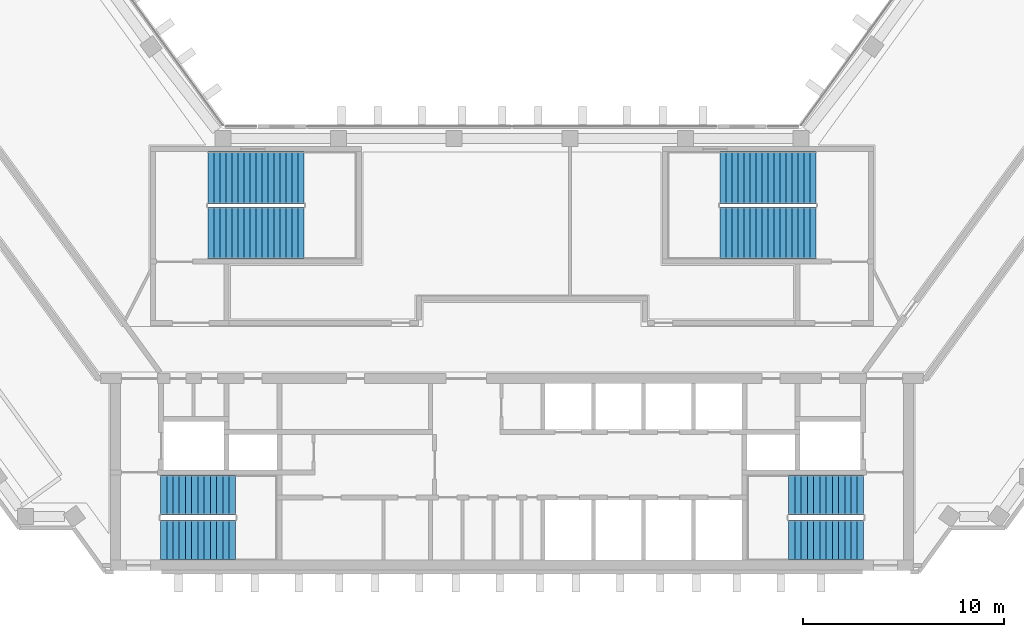
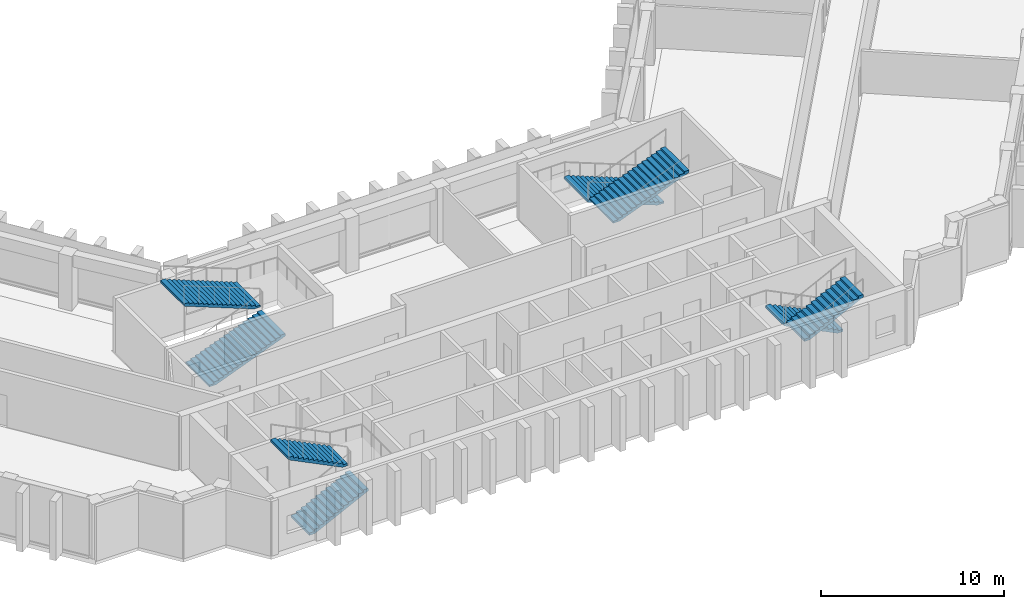
# One storey, part 8 of 10: 8 stair flights, 4 elements without a shape of their own.
"""IFC4 building model written with IfcOpenShell, lengths in metres."""

from ifc_helpers import new_model, si_unit, direction, frame, origin, place, context, subcontext, project, spatial, polyline, outline, extrude, material, type_object, element, aggregate, save


model = new_model("IFC4")

# Units and contexts
model_context = context("Model", 3, precision=1e-05, world=origin(), true_north=direction((0.0, 1.0)))
body_context = subcontext(model_context, "Body", "Model", "MODEL_VIEW")
ifc_project = project(units=[si_unit("LENGTHUNIT", "METRE"), si_unit("AREAUNIT", "SQUARE_METRE"), si_unit("VOLUMEUNIT", "CUBIC_METRE"), si_unit("PLANEANGLEUNIT", "RADIAN"), si_unit("MASSUNIT", "GRAM", prefix="KILO")], contexts=[model_context])

# Site, building, storey
site_placement = place(None, origin())
site = spatial("IfcSite", under=ifc_project, at=site_placement, CompositionType="ELEMENT")
building_placement = place(site_placement, origin())
building = spatial("IfcBuilding", under=site, at=building_placement, Name="Quipu Civic Tower", CompositionType="ELEMENT")
storey_placement = place(building_placement, frame((0.0, 0.0, 168.0)))
storey = spatial("IfcBuildingStorey", under=building, at=storey_placement, Name="L39", CompositionType="ELEMENT", Elevation=168.0)

# Stair, stair flights
ifc_material_1 = material(Name="Concrete C40/50", Category="concrete")
stair_type_1 = type_object("IfcStairType", Name="Half turn stair 2000", PredefinedType="HALF_TURN_STAIR", material=ifc_material_1)
stair_1_placement = place(storey_placement, origin())
stair_1 = element("IfcStair", 1, at=stair_1_placement, inside=storey, type_object=stair_type_1, Name="Exit stair 1", PredefinedType="HALF_TURN_STAIR")
ifc_material_2 = material(Name="Concrete C40/50", Category="concrete")
stair_flight_type_1 = type_object("IfcStairFlightType", Name="Stair flight 2000", PredefinedType="STRAIGHT", material=ifc_material_2)
stair_flight_1_placement = place(storey_placement, frame((-17.5, -9.5, 0.0), z_axis=(0.0, 0.0, 1.0), x_axis=(1.0, 0.0, 0.0)))
stair_flight_1 = element("IfcStairFlight", 2, at=stair_flight_1_placement, type_object=stair_flight_type_1, Name="ST-1 flight 1", NumberOfRisers=13, NumberOfTreads=12, PredefinedType="STRAIGHT", RiserHeight=0.153846154, TreadLength=0.31, context=body_context, shape_type="SweptSolid", body=[
    extrude(outline(polyline([(0.0, 0.0), (0.0, 0.15380859375), (0.31005859375, 0.15380859375), (0.31005859375, 0.3076171875), (0.6201171875, 0.3076171875), (0.6201171875, 0.46142578125), (0.929931640625, 0.46142578125), (0.929931640625, 0.615478515625), (1.239990234375, 0.615478515625), (1.239990234375, 0.769287109375), (1.550048828125, 0.769287109375), (1.550048828125, 0.923095703125), (1.860107421875, 0.923095703125), (1.860107421875, 1.076904296875), (2.169921875, 1.076904296875), (2.169921875, 1.230712890625), (2.47998046875, 1.230712890625), (2.47998046875, 1.384521484375), (2.7900390625, 1.384521484375), (2.7900390625, 1.53857421875), (3.10009765625, 1.53857421875), (3.10009765625, 1.6923828125), (3.409912109375, 1.6923828125), (3.409912109375, 1.84619140625), (3.719970703125, 1.84619140625), (3.719970703125, 2.0), (3.719970703125, 1.6787109375), (0.337158203125, 0.0), (0.0, 0.0)])), frame((0.0, 1.0, 0.0), z_axis=(0.0, -1.0, 0.0), x_axis=(1.0, 0.0, 0.0)), (0.0, 0.0, 1.0), 2.0),
])
stair_flight_2_placement = place(storey_placement, frame((-13.780029296875, -7.25, 2.0), z_axis=(0.0, 0.0, 1.0), x_axis=(-1.0, 0.0, 0.0)))
stair_flight_2 = element("IfcStairFlight", 3, at=stair_flight_2_placement, type_object=stair_flight_type_1, Name="ST-1 flight 2", NumberOfRisers=13, NumberOfTreads=12, PredefinedType="STRAIGHT", RiserHeight=0.153846154, TreadLength=0.31, context=body_context, shape_type="SweptSolid", body=[
    extrude(outline(polyline([(0.0, 0.0), (0.0, 0.15380859375), (0.31005859375, 0.15380859375), (0.31005859375, 0.3076171875), (0.6201171875, 0.3076171875), (0.6201171875, 0.46142578125), (0.929931640625, 0.46142578125), (0.929931640625, 0.615478515625), (1.239990234375, 0.615478515625), (1.239990234375, 0.769287109375), (1.550048828125, 0.769287109375), (1.550048828125, 0.923095703125), (1.860107421875, 0.923095703125), (1.860107421875, 1.076904296875), (2.169921875, 1.076904296875), (2.169921875, 1.230712890625), (2.47998046875, 1.230712890625), (2.47998046875, 1.384521484375), (2.7900390625, 1.384521484375), (2.7900390625, 1.53857421875), (3.10009765625, 1.53857421875), (3.10009765625, 1.6923828125), (3.409912109375, 1.6923828125), (3.409912109375, 1.84619140625), (3.719970703125, 1.84619140625), (3.719970703125, 2.0), (3.719970703125, 1.6787109375), (0.337158203125, 0.0), (0.0, 0.0)])), frame((0.0, 1.0, 0.0), z_axis=(0.0, -1.0, 0.0), x_axis=(1.0, 0.0, 0.0)), (0.0, 0.0, 1.0), 2.0),
])
aggregate(stair_1, [stair_flight_1, stair_flight_2])

stair_2_placement = place(storey_placement, origin())
stair_2 = element("IfcStair", 4, at=stair_2_placement, inside=storey, type_object=stair_type_1, Name="Exit stair 2", PredefinedType="HALF_TURN_STAIR")
stair_flight_3_placement = place(storey_placement, frame((17.5, -7.25, 0.0), z_axis=(0.0, 0.0, 1.0), x_axis=(-1.0, 0.0, 0.0)))
stair_flight_3 = element("IfcStairFlight", 5, at=stair_flight_3_placement, type_object=stair_flight_type_1, Name="ST-2 flight 1", NumberOfRisers=13, NumberOfTreads=12, PredefinedType="STRAIGHT", RiserHeight=0.153846154, TreadLength=0.31, context=body_context, shape_type="SweptSolid", body=[
    extrude(outline(polyline([(0.0, 0.0), (0.0, 0.15380859375), (0.31005859375, 0.15380859375), (0.31005859375, 0.3076171875), (0.6201171875, 0.3076171875), (0.6201171875, 0.46142578125), (0.929931640625, 0.46142578125), (0.929931640625, 0.615478515625), (1.239990234375, 0.615478515625), (1.239990234375, 0.769287109375), (1.550048828125, 0.769287109375), (1.550048828125, 0.923095703125), (1.860107421875, 0.923095703125), (1.860107421875, 1.076904296875), (2.169921875, 1.076904296875), (2.169921875, 1.230712890625), (2.47998046875, 1.230712890625), (2.47998046875, 1.384521484375), (2.7900390625, 1.384521484375), (2.7900390625, 1.53857421875), (3.10009765625, 1.53857421875), (3.10009765625, 1.6923828125), (3.409912109375, 1.6923828125), (3.409912109375, 1.84619140625), (3.719970703125, 1.84619140625), (3.719970703125, 2.0), (3.719970703125, 1.6787109375), (0.337158203125, 0.0), (0.0, 0.0)])), frame((0.0, 1.0, 0.0), z_axis=(0.0, -1.0, 0.0), x_axis=(1.0, 0.0, 0.0)), (0.0, 0.0, 1.0), 2.0),
])
stair_flight_4_placement = place(storey_placement, frame((13.780029296875, -9.5, 2.0), z_axis=(0.0, 0.0, 1.0), x_axis=(1.0, 0.0, 0.0)))
stair_flight_4 = element("IfcStairFlight", 6, at=stair_flight_4_placement, type_object=stair_flight_type_1, Name="ST-2 flight 2", NumberOfRisers=13, NumberOfTreads=12, PredefinedType="STRAIGHT", RiserHeight=0.153846154, TreadLength=0.31, context=body_context, shape_type="SweptSolid", body=[
    extrude(outline(polyline([(0.0, 0.0), (0.0, 0.15380859375), (0.31005859375, 0.15380859375), (0.31005859375, 0.3076171875), (0.6201171875, 0.3076171875), (0.6201171875, 0.46142578125), (0.929931640625, 0.46142578125), (0.929931640625, 0.615478515625), (1.239990234375, 0.615478515625), (1.239990234375, 0.769287109375), (1.550048828125, 0.769287109375), (1.550048828125, 0.923095703125), (1.860107421875, 0.923095703125), (1.860107421875, 1.076904296875), (2.169921875, 1.076904296875), (2.169921875, 1.230712890625), (2.47998046875, 1.230712890625), (2.47998046875, 1.384521484375), (2.7900390625, 1.384521484375), (2.7900390625, 1.53857421875), (3.10009765625, 1.53857421875), (3.10009765625, 1.6923828125), (3.409912109375, 1.6923828125), (3.409912109375, 1.84619140625), (3.719970703125, 1.84619140625), (3.719970703125, 2.0), (3.719970703125, 1.6787109375), (0.337158203125, 0.0), (0.0, 0.0)])), frame((0.0, 1.0, 0.0), z_axis=(0.0, -1.0, 0.0), x_axis=(1.0, 0.0, 0.0)), (0.0, 0.0, 1.0), 2.0),
])
aggregate(stair_2, [stair_flight_3, stair_flight_4])

ifc_material_3 = material(Name="Concrete C40/50", Category="concrete")
stair_type_2 = type_object("IfcStairType", Name="Half turn stair 2600", PredefinedType="HALF_TURN_STAIR", material=ifc_material_3)
stair_3_placement = place(storey_placement, origin())
stair_3 = element("IfcStair", 7, at=stair_3_placement, inside=storey, type_object=stair_type_2, Name="Exit stair 3", PredefinedType="HALF_TURN_STAIR")
ifc_material_4 = material(Name="Concrete C40/50", Category="concrete")
stair_flight_type_2 = type_object("IfcStairFlightType", Name="Stair flight 2600", PredefinedType="STRAIGHT", material=ifc_material_4)
stair_flight_5_placement = place(storey_placement, frame((-15.14990234375, 5.800048828125, 0.0), z_axis=(0.0, 0.0, 1.0), x_axis=(1.0, 0.0, 0.0)))
stair_flight_5 = element("IfcStairFlight", 8, at=stair_flight_5_placement, type_object=stair_flight_type_2, Name="ST-3 flight 1", NumberOfRisers=17, NumberOfTreads=16, PredefinedType="STRAIGHT", RiserHeight=0.117647059, TreadLength=0.3, context=body_context, shape_type="SweptSolid", body=[
    extrude(outline(polyline([(0.0, 0.0), (0.0, 0.11767578125), (0.300048828125, 0.11767578125), (0.300048828125, 0.2353515625), (0.60009765625, 0.2353515625), (0.60009765625, 0.35302734375), (0.89990234375, 0.35302734375), (0.89990234375, 0.470703125), (1.199951171875, 0.470703125), (1.199951171875, 0.588134765625), (1.5, 0.588134765625), (1.5, 0.705810546875), (1.800048828125, 0.705810546875), (1.800048828125, 0.823486328125), (2.10009765625, 0.823486328125), (2.10009765625, 0.941162109375), (2.39990234375, 0.941162109375), (2.39990234375, 1.058837890625), (2.699951171875, 1.058837890625), (2.699951171875, 1.176513671875), (3.0, 1.176513671875), (3.0, 1.294189453125), (3.300048828125, 1.294189453125), (3.300048828125, 1.411865234375), (3.60009765625, 1.411865234375), (3.60009765625, 1.529296875), (3.89990234375, 1.529296875), (3.89990234375, 1.64697265625), (4.199951171875, 1.64697265625), (4.199951171875, 1.7646484375), (4.5, 1.7646484375), (4.5, 1.88232421875), (4.800048828125, 1.88232421875), (4.800048828125, 2.0), (4.800048828125, 1.721435546875), (0.41064453125, 0.0), (0.0, 0.0)])), frame((0.0, 1.300048828125, 0.0), z_axis=(0.0, -1.0, 0.0), x_axis=(1.0, 0.0, 0.0)), (0.0, 0.0, 1.0), 2.60009765625),
])
stair_flight_6_placement = place(storey_placement, frame((-10.35009765625, 8.550048828125, 2.0), z_axis=(0.0, 0.0, 1.0), x_axis=(-1.0, 0.0, 0.0)))
stair_flight_6 = element("IfcStairFlight", 9, at=stair_flight_6_placement, type_object=stair_flight_type_2, Name="ST-3 flight 2", NumberOfRisers=17, NumberOfTreads=16, PredefinedType="STRAIGHT", RiserHeight=0.117647059, TreadLength=0.3, context=body_context, shape_type="SweptSolid", body=[
    extrude(outline(polyline([(0.0, 0.0), (0.0, 0.11767578125), (0.300048828125, 0.11767578125), (0.300048828125, 0.2353515625), (0.60009765625, 0.2353515625), (0.60009765625, 0.35302734375), (0.89990234375, 0.35302734375), (0.89990234375, 0.470703125), (1.199951171875, 0.470703125), (1.199951171875, 0.588134765625), (1.5, 0.588134765625), (1.5, 0.705810546875), (1.800048828125, 0.705810546875), (1.800048828125, 0.823486328125), (2.10009765625, 0.823486328125), (2.10009765625, 0.941162109375), (2.39990234375, 0.941162109375), (2.39990234375, 1.058837890625), (2.699951171875, 1.058837890625), (2.699951171875, 1.176513671875), (3.0, 1.176513671875), (3.0, 1.294189453125), (3.300048828125, 1.294189453125), (3.300048828125, 1.411865234375), (3.60009765625, 1.411865234375), (3.60009765625, 1.529296875), (3.89990234375, 1.529296875), (3.89990234375, 1.64697265625), (4.199951171875, 1.64697265625), (4.199951171875, 1.7646484375), (4.5, 1.7646484375), (4.5, 1.88232421875), (4.800048828125, 1.88232421875), (4.800048828125, 2.0), (4.800048828125, 1.721435546875), (0.41064453125, 0.0), (0.0, 0.0)])), frame((0.0, 1.300048828125, 0.0), z_axis=(0.0, -1.0, 0.0), x_axis=(1.0, 0.0, 0.0)), (0.0, 0.0, 1.0), 2.60009765625),
])
aggregate(stair_3, [stair_flight_5, stair_flight_6])

stair_4_placement = place(storey_placement, origin())
stair_4 = element("IfcStair", 10, at=stair_4_placement, inside=storey, type_object=stair_type_2, Name="Exit stair 4", PredefinedType="HALF_TURN_STAIR")
stair_flight_7_placement = place(storey_placement, frame((15.14990234375, 8.550048828125, 0.0), z_axis=(0.0, 0.0, 1.0), x_axis=(-1.0, 0.0, 0.0)))
stair_flight_7 = element("IfcStairFlight", 11, at=stair_flight_7_placement, type_object=stair_flight_type_2, Name="ST-4 flight 1", NumberOfRisers=17, NumberOfTreads=16, PredefinedType="STRAIGHT", RiserHeight=0.117647059, TreadLength=0.3, context=body_context, shape_type="SweptSolid", body=[
    extrude(outline(polyline([(0.0, 0.0), (0.0, 0.11767578125), (0.300048828125, 0.11767578125), (0.300048828125, 0.2353515625), (0.60009765625, 0.2353515625), (0.60009765625, 0.35302734375), (0.89990234375, 0.35302734375), (0.89990234375, 0.470703125), (1.199951171875, 0.470703125), (1.199951171875, 0.588134765625), (1.5, 0.588134765625), (1.5, 0.705810546875), (1.800048828125, 0.705810546875), (1.800048828125, 0.823486328125), (2.10009765625, 0.823486328125), (2.10009765625, 0.941162109375), (2.39990234375, 0.941162109375), (2.39990234375, 1.058837890625), (2.699951171875, 1.058837890625), (2.699951171875, 1.176513671875), (3.0, 1.176513671875), (3.0, 1.294189453125), (3.300048828125, 1.294189453125), (3.300048828125, 1.411865234375), (3.60009765625, 1.411865234375), (3.60009765625, 1.529296875), (3.89990234375, 1.529296875), (3.89990234375, 1.64697265625), (4.199951171875, 1.64697265625), (4.199951171875, 1.7646484375), (4.5, 1.7646484375), (4.5, 1.88232421875), (4.800048828125, 1.88232421875), (4.800048828125, 2.0), (4.800048828125, 1.721435546875), (0.41064453125, 0.0), (0.0, 0.0)])), frame((0.0, 1.300048828125, 0.0), z_axis=(0.0, -1.0, 0.0), x_axis=(1.0, 0.0, 0.0)), (0.0, 0.0, 1.0), 2.60009765625),
])
stair_flight_8_placement = place(storey_placement, frame((10.35009765625, 5.800048828125, 2.0), z_axis=(0.0, 0.0, 1.0), x_axis=(1.0, 0.0, 0.0)))
stair_flight_8 = element("IfcStairFlight", 12, at=stair_flight_8_placement, type_object=stair_flight_type_2, Name="ST-4 flight 2", NumberOfRisers=17, NumberOfTreads=16, PredefinedType="STRAIGHT", RiserHeight=0.117647059, TreadLength=0.3, context=body_context, shape_type="SweptSolid", body=[
    extrude(outline(polyline([(0.0, 0.0), (0.0, 0.11767578125), (0.300048828125, 0.11767578125), (0.300048828125, 0.2353515625), (0.60009765625, 0.2353515625), (0.60009765625, 0.35302734375), (0.89990234375, 0.35302734375), (0.89990234375, 0.470703125), (1.199951171875, 0.470703125), (1.199951171875, 0.588134765625), (1.5, 0.588134765625), (1.5, 0.705810546875), (1.800048828125, 0.705810546875), (1.800048828125, 0.823486328125), (2.10009765625, 0.823486328125), (2.10009765625, 0.941162109375), (2.39990234375, 0.941162109375), (2.39990234375, 1.058837890625), (2.699951171875, 1.058837890625), (2.699951171875, 1.176513671875), (3.0, 1.176513671875), (3.0, 1.294189453125), (3.300048828125, 1.294189453125), (3.300048828125, 1.411865234375), (3.60009765625, 1.411865234375), (3.60009765625, 1.529296875), (3.89990234375, 1.529296875), (3.89990234375, 1.64697265625), (4.199951171875, 1.64697265625), (4.199951171875, 1.7646484375), (4.5, 1.7646484375), (4.5, 1.88232421875), (4.800048828125, 1.88232421875), (4.800048828125, 2.0), (4.800048828125, 1.721435546875), (0.41064453125, 0.0), (0.0, 0.0)])), frame((0.0, 1.300048828125, 0.0), z_axis=(0.0, -1.0, 0.0), x_axis=(1.0, 0.0, 0.0)), (0.0, 0.0, 1.0), 2.60009765625),
])
aggregate(stair_4, [stair_flight_7, stair_flight_8])

save(model, "model.ifc")
